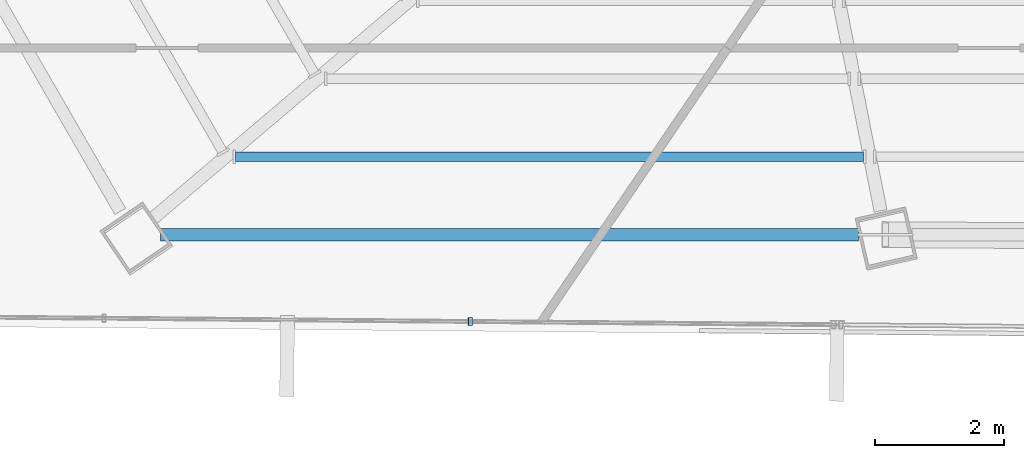
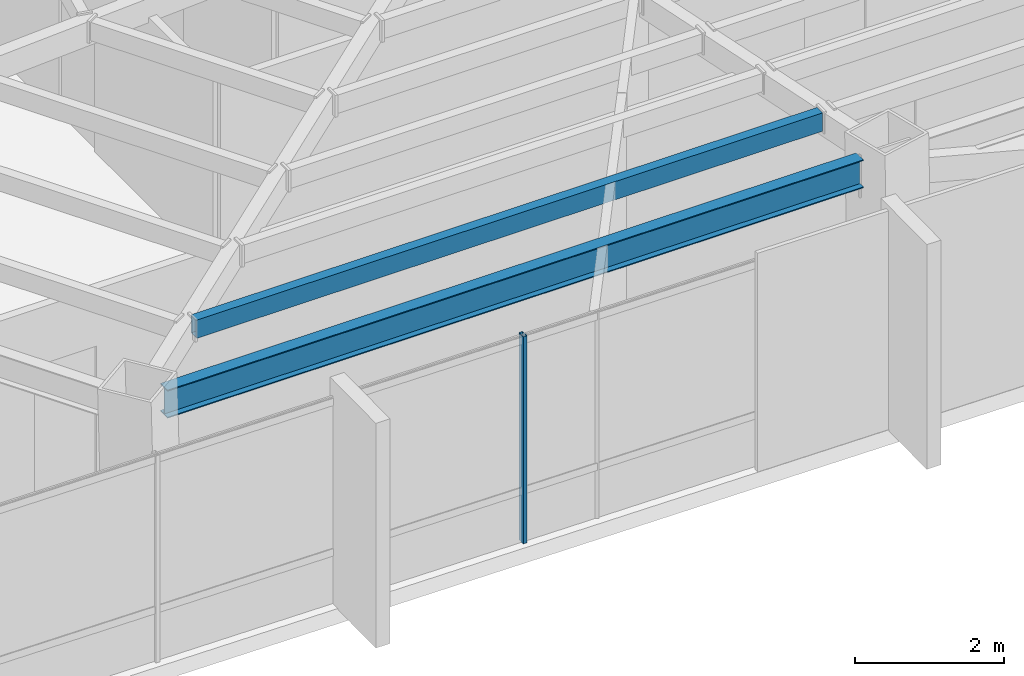
# One storey, part 5 of 49: 2 beams, 1 member, 1 element without a shape of its own.
"""IFC4 building model written with IfcOpenShell, lengths in metres."""

import ifcopenshell
import ifcopenshell.guid

model = None  # the IFC model being written
_history = None  # IfcOwnerHistory: only IFC2X3 demands one
_inside = {}  # id of a spatial element -> (the spatial element, [elements in it])
_under = {}  # id of a project, library or spatial element -> (it, [spatial elements below it])
_declared = {}  # id of a project -> (the project, [libraries it declares])
_typed = {}  # id of a type object -> (the type object, [elements of that type])
_made_of = {}  # id of a material, layer set ... -> (it, [elements and type objects made of it])


def new_model(schema):
    """Start an empty IFC model of exactly this schema.

    Asked for "IFC4X3", IfcOpenShell would pick the latest addendum, in which some entities
    have other attributes; the version numbers below select the first issue.
    IFC2X3 requires an IfcOwnerHistory on every rooted entity: one is made here for all.
    """
    global model, _history
    if schema == "IFC4X3":
        model = ifcopenshell.file(schema_version=(4, 3, 0, 0))
    else:
        model = ifcopenshell.file(schema=schema)
    _inside.clear()
    _under.clear()
    _declared.clear()
    _typed.clear()
    _made_of.clear()
    _history = None
    if model.schema == "IFC2X3":
        org = make("IfcOrganization", Name="unknown")
        user = make(
            "IfcPersonAndOrganization",
            ThePerson=make("IfcPerson", FamilyName="unknown"),
            TheOrganization=org,
        )
        app = make(
            "IfcApplication",
            ApplicationDeveloper=org,
            Version="unknown",
            ApplicationFullName="unknown",
            ApplicationIdentifier="unknown",
        )
        _history = make(
            "IfcOwnerHistory",
            OwningUser=user,
            OwningApplication=app,
            ChangeAction="ADDED",
            CreationDate=0,
        )
    return model


def make(cls, **values):
    """One entity of the class cls with the attributes given. An attribute that is None is left unset."""
    return model.create_entity(
        cls, **{name: value for name, value in values.items() if value is not None}
    )


def rooted(cls, **values):
    """An entity with a GlobalId (a new one), such as an element, a storey or a relation."""
    return make(cls, GlobalId=ifcopenshell.guid.new(), OwnerHistory=_history, **values)


def si_unit(unit_type, name, prefix=None):
    """IfcSIUnit, for example si_unit("LENGTHUNIT", "METRE", prefix="MILLI")."""
    return make("IfcSIUnit", UnitType=unit_type, Prefix=prefix, Name=name)


def assignment(units):
    """IfcUnitAssignment: the units of a project."""
    return None if units is None else make("IfcUnitAssignment", Units=units)


def point(xyz):
    """IfcCartesianPoint."""
    return None if xyz is None else make("IfcCartesianPoint", Coordinates=xyz)


def direction(xyz):
    """IfcDirection."""
    return None if xyz is None else make("IfcDirection", DirectionRatios=xyz)


def frame(location, z_axis=None, x_axis=None):
    """IfcAxis2Placement3D, a coordinate frame: its origin and axes. An axis left out is left unset."""
    return make(
        "IfcAxis2Placement3D",
        Location=point(location),
        Axis=direction(z_axis),
        RefDirection=direction(x_axis),
    )


def frame_2d(location, x_axis=None):
    """IfcAxis2Placement2D, a coordinate frame in the plane: its origin and x axis."""
    return make(
        "IfcAxis2Placement2D", Location=point(location), RefDirection=direction(x_axis)
    )


def origin():
    """The frame at (0, 0, 0) with its axes left unset."""
    return frame((0.0, 0.0, 0.0))


def origin_2d():
    """The frame at (0, 0) in the plane with its x axis left unset."""
    return frame_2d((0.0, 0.0))


def place(relative_to, where):
    """IfcLocalPlacement: puts the frame where relative to a parent placement (None: the world)."""
    return make(
        "IfcLocalPlacement", PlacementRelTo=relative_to, RelativePlacement=where
    )


def context(
    kind, dimensions, precision=None, world=None, true_north=None, identifier=None
):
    """IfcGeometricRepresentationContext, for example the 3D "Model" context."""
    return make(
        "IfcGeometricRepresentationContext",
        ContextIdentifier=identifier,
        ContextType=kind,
        CoordinateSpaceDimension=dimensions,
        Precision=precision,
        WorldCoordinateSystem=world,
        TrueNorth=true_north,
    )


def subcontext(parent, identifier, kind, view, scale=None):
    """IfcGeometricRepresentationSubContext, for example "Body" below "Model"."""
    return make(
        "IfcGeometricRepresentationSubContext",
        ContextIdentifier=identifier,
        ContextType=kind,
        ParentContext=parent,
        TargetScale=scale,
        TargetView=view,
    )


def project(units=None, contexts=None):
    """IfcProject with its units and contexts."""
    return rooted(
        "IfcProject",
        Name="project",
        RepresentationContexts=contexts,
        UnitsInContext=assignment(units),
    )


def spatial(cls, under=None, at=None, **own):
    """A site, building, storey or space (cls), placed at a placement, below another one or the project."""
    s = rooted(cls, ObjectPlacement=at, **own)
    if under is not None:
        _under.setdefault(under.id(), (under, []))[1].append(s)
    return s


def profile(cls, at=None, kind="AREA", **sizes):
    """A parametric profile (cls). Its sizes go by their IFC names, for example OverallWidth=200.0."""
    return make(cls, ProfileType=kind, Position=at, **sizes)


def hollow_rectangle(**sizes):
    """IfcRectangleHollowProfileDef."""
    return profile("IfcRectangleHollowProfileDef", **sizes)


def i_section(**sizes):
    """IfcIShapeProfileDef."""
    return profile("IfcIShapeProfileDef", **sizes)


def extrude(swept, where, along, depth):
    """IfcExtrudedAreaSolid: the profile swept, set in the frame where, extruded along a direction by depth."""
    return make(
        "IfcExtrudedAreaSolid",
        SweptArea=swept,
        Position=where,
        ExtrudedDirection=direction(along),
        Depth=depth,
    )


def shape(context_of_items, identifier, shape_type, items):
    """IfcShapeRepresentation: the items that make up one representation, for example the "Body"."""
    return make(
        "IfcShapeRepresentation",
        ContextOfItems=context_of_items,
        RepresentationIdentifier=identifier,
        RepresentationType=shape_type,
        Items=items,
    )


def source(mapping_origin, context_of_items, identifier, shape_type, items):
    """IfcRepresentationMap: a shape defined once, which mapped items show again and again."""
    return make(
        "IfcRepresentationMap",
        MappingOrigin=mapping_origin,
        MappedRepresentation=shape(context_of_items, identifier, shape_type, items),
    )


def transform(
    local_origin,
    x_axis=None,
    y_axis=None,
    z_axis=None,
    scale=None,
    scale2=None,
    scale3=None,
    uniform=True,
):
    """IfcCartesianTransformationOperator3D, or its non-uniform kind. x_axis, y_axis, z_axis: its Axis1, 2, 3."""
    if uniform:
        return make(
            "IfcCartesianTransformationOperator3D",
            Axis1=direction(x_axis),
            Axis2=direction(y_axis),
            LocalOrigin=point(local_origin),
            Scale=scale,
            Axis3=direction(z_axis),
        )
    return make(
        "IfcCartesianTransformationOperator3DnonUniform",
        Axis1=direction(x_axis),
        Axis2=direction(y_axis),
        LocalOrigin=point(local_origin),
        Scale=scale,
        Axis3=direction(z_axis),
        Scale2=scale2,
        Scale3=scale3,
    )


def mapped(mapping_source, mapping_target):
    """IfcMappedItem: shows the shape of a source again, moved by a transform."""
    return make(
        "IfcMappedItem", MappingSource=mapping_source, MappingTarget=mapping_target
    )


def material(Name=None, Category=None):
    """IfcMaterial."""
    return make("IfcMaterial", Name=Name, Category=Category)


def material_profile(
    of_material, cross_section, Name=None, Category=None, Priority=None
):
    """IfcMaterialProfile: a cross section and its material."""
    return make(
        "IfcMaterialProfile",
        Name=Name,
        Material=of_material,
        Profile=cross_section,
        Priority=Priority,
        Category=Category,
    )


def profile_set(profiles, Name=None, composite=None):
    """IfcMaterialProfileSet."""
    return make(
        "IfcMaterialProfileSet",
        Name=Name,
        MaterialProfiles=profiles,
        CompositeProfile=composite,
    )


def made_of(thing, what):
    """Note that an element or type object is made of a material, layer set ...; save() writes the relation."""
    if what is not None:
        _made_of.setdefault(what.id(), (what, []))[1].append(thing)
    return thing


def type_object(cls, material=None, **own):
    """A type object (cls), such as IfcWallType, which elements share."""
    return made_of(rooted(cls, **own), material)


def type_shapes(of_type, sources):
    """Give a type object the sources (RepresentationMaps) that its elements show as mapped items."""
    of_type.RepresentationMaps = sources


def element(
    cls,
    number,
    at=None,
    inside=None,
    cuts=None,
    type_object=None,
    material=None,
    context=None,
    identifier="Body",
    shape_type=None,
    held_by="IfcProductDefinitionShape",
    body=None,
    shapes=None,
    **own,
):
    """One element of the class cls, such as IfcWall. Its Tag is "e" and its number.

    at: its placement. inside: the storey or other place that contains it. cuts: it is an
    opening in that element (IfcRelVoidsElement). A single representation is given by context,
    identifier, shape_type and body (its items); several are given by shapes. held_by: the class
    of the entity that holds the representations. save() writes the other relations.
    """
    e = rooted(cls, Tag="e%d" % number, ObjectPlacement=at, **own)
    if body is not None:
        shapes = [shape(context, identifier, shape_type, body)]
    if shapes is not None:
        e.Representation = make(held_by, Representations=shapes)
    if inside is not None:
        _inside.setdefault(inside.id(), (inside, []))[1].append(e)
    if cuts is not None:
        rooted(
            "IfcRelVoidsElement", RelatingBuildingElement=cuts, RelatedOpeningElement=e
        )
    if type_object is not None:
        _typed.setdefault(type_object.id(), (type_object, []))[1].append(e)
    return made_of(e, material)


def aggregate(whole, parts):
    """IfcRelAggregates: a whole, such as a stair, and the parts it consists of."""
    return rooted("IfcRelAggregates", RelatingObject=whole, RelatedObjects=parts)


def save(model, path):
    """Write the relations noted so far, then the file.

    IfcRelAggregates (storeys below a building ...), IfcRelContainedInSpatialStructure (elements
    in a storey), IfcRelDefinesByType, IfcRelAssociatesMaterial and IfcRelDeclares: one each for
    every whole, place, type object, material and project.
    """
    for whole, parts in _under.values():
        aggregate(whole, parts)
    for where, things in _inside.values():
        rooted(
            "IfcRelContainedInSpatialStructure",
            RelatedElements=things,
            RelatingStructure=where,
        )
    for kind, things in _typed.values():
        rooted("IfcRelDefinesByType", RelatedObjects=things, RelatingType=kind)
    for what, things in _made_of.values():
        rooted("IfcRelAssociatesMaterial", RelatedObjects=things, RelatingMaterial=what)
    for by, libraries in _declared.values():
        rooted("IfcRelDeclares", RelatingContext=by, RelatedDefinitions=libraries)
    model.write(path)


model = new_model("IFC4")

# Units and contexts
model_context = context("Model", 3, precision=1e-05, world=origin(), true_north=direction((0.0, 1.0)))
body_context = subcontext(model_context, "Body", "Model", "MODEL_VIEW")
ifc_project = project(units=[si_unit("LENGTHUNIT", "METRE"), si_unit("AREAUNIT", "SQUARE_METRE"), si_unit("VOLUMEUNIT", "CUBIC_METRE"), si_unit("PLANEANGLEUNIT", "RADIAN"), si_unit("MASSUNIT", "GRAM", prefix="KILO")], contexts=[model_context])

# Site, building, storey
site_placement = place(None, origin())
site = spatial("IfcSite", under=ifc_project, at=site_placement, CompositionType="ELEMENT")
building_placement = place(site_placement, origin())
building = spatial("IfcBuilding", under=site, at=building_placement, Name="Caelisora Broadcast Tower", CompositionType="ELEMENT")
storey_placement = place(building_placement, frame((0.0, 0.0, 233.5)))
storey = spatial("IfcBuildingStorey", under=building, at=storey_placement, Name="L61", CompositionType="ELEMENT", Elevation=233.5)

# Beams
ifc_material_1 = material(Name="Steel Grade 350 (AS/NZS 3679.1)", Category="steel")
ifc_material_profile_1 = material_profile(ifc_material_1, i_section(OverallWidth=0.19091796875, OverallDepth=0.46044921875, WebThickness=0.010009765625, FlangeThickness=0.01611328125, at=origin_2d()), Name="Steel Grade 350 (AS/NZS 3679.1)")
ifc_profile_set_1 = profile_set([ifc_material_profile_1], Name="Steel Grade 350 (AS/NZS 3679.1)")
beam_type_1 = type_object("IfcBeamType", Name="PG06", PredefinedType="BEAM", material=ifc_profile_set_1)
shared_shape_1 = source(origin(), body_context, "Body", "SweptSolid", [
    extrude(i_section(OverallWidth=0.19091796875, OverallDepth=0.46044921875, WebThickness=0.010009765625, FlangeThickness=0.01611328125, at=origin_2d()), origin(), (0.0, 0.0, 1.0), 10.804443359375),
])
type_shapes(beam_type_1, [shared_shape_1])
beam_1_placement = place(storey_placement, frame((20.96142578125, 8.95068359375, 3.169921875), z_axis=(1.0, 0.0, 0.0), x_axis=(0.0, 1.0, 0.0)))
element("IfcBeam", 1, at=beam_1_placement, inside=storey, type_object=beam_type_1, Name="L61 beam PG06", PredefinedType="BEAM", context=body_context, shape_type="MappedRepresentation", body=[
    mapped(shared_shape_1, transform((0.0, 0.0, 0.0), scale=1.0)),
])
ifc_material_2 = material(Name="Steel Grade 350 (AS/NZS 1163 C350L0)", Category="steel")
ifc_material_profile_2 = material_profile(ifc_material_2, hollow_rectangle(XDim=0.14990234375, YDim=0.300048828125, WallThickness=0.010009765625, at=origin_2d()), Name="Steel Grade 350 (AS/NZS 1163 C350L0)")
ifc_profile_set_2 = profile_set([ifc_material_profile_2], Name="Steel Grade 350 (AS/NZS 1163 C350L0)")
beam_type_2 = type_object("IfcBeamType", Name="SB05", PredefinedType="JOIST", material=ifc_profile_set_2)
shared_shape_2 = source(origin(), body_context, "Body", "SweptSolid", [
    extrude(hollow_rectangle(XDim=0.14990234375, YDim=0.300048828125, WallThickness=0.010009765625, at=origin_2d()), origin(), (0.0, 0.0, 1.0), 9.7236328125),
])
type_shapes(beam_type_2, [shared_shape_2])
beam_2_placement = place(storey_placement, frame((22.118896484375, 10.15771484375, 3.25), z_axis=(1.0, 0.0, 0.0), x_axis=(0.0, 1.0, 0.0)))
element("IfcBeam", 2, at=beam_2_placement, inside=storey, type_object=beam_type_2, Name="L61 beam SB05", PredefinedType="JOIST", context=body_context, shape_type="MappedRepresentation", body=[
    mapped(shared_shape_2, transform((0.0, 0.0, 0.0), scale=1.0)),
])

# Curtain wall, member
ifc_material_3 = material(Name="Unitised Aluminium and Low-E Glass Curtain Wall", Category="glass")
curtain_wall_type = type_object("IfcCurtainWallType", Name="CW-Z5", PredefinedType="NOTDEFINED", material=ifc_material_3)
curtain_wall_placement = place(storey_placement, origin())
curtain_wall = element("IfcCurtainWall", 3, at=curtain_wall_placement, inside=storey, type_object=curtain_wall_type, Name="L61 curtain wall CW-Z5", PredefinedType="NOTDEFINED")
ifc_material_4 = material(Name="Aluminium 6063-T6 Anodised Terracotta Bronze", Category="aluminium")
ifc_material_profile_3 = material_profile(ifc_material_4, hollow_rectangle(XDim=0.06005859375, YDim=0.1201171875, WallThickness=0.0029296875, at=origin_2d()), Name="Aluminium 6063-T6 Anodised Terracotta Bronze")
ifc_profile_set_3 = profile_set([ifc_material_profile_3], Name="Aluminium 6063-T6 Anodised Terracotta Bronze")
member_type = type_object("IfcMemberType", Name="CWM-04", PredefinedType="MULLION", material=ifc_profile_set_3)
shared_shape_3 = source(origin(), body_context, "Body", "SweptSolid", [
    extrude(hollow_rectangle(XDim=0.06005859375, YDim=0.1201171875, WallThickness=0.0029296875, at=origin_2d()), origin(), (0.0, 0.0, 1.0), 3.39990234375),
])
type_shapes(member_type, [shared_shape_3])
member_placement = place(storey_placement, frame((25.758544921875, 7.60693359375, 0.0), z_axis=(0.0, 0.0, 1.0), x_axis=(1.0, 0.0, 0.0)))
member = element("IfcMember", 4, at=member_placement, type_object=member_type, Name="L61-CW-B07 mullion #1", PredefinedType="MULLION", context=body_context, shape_type="MappedRepresentation", body=[
    mapped(shared_shape_3, transform((0.0, 0.0, 0.0), scale=1.0)),
])
aggregate(curtain_wall, [member])

save(model, "model.ifc")
